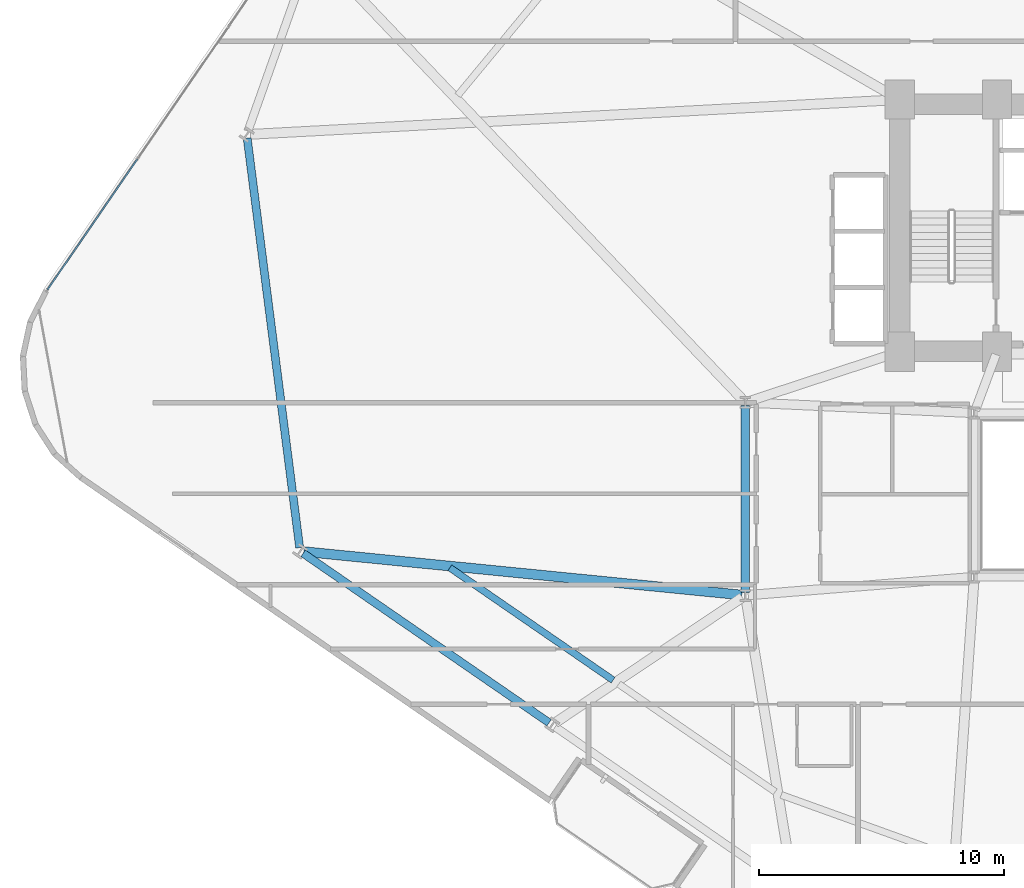
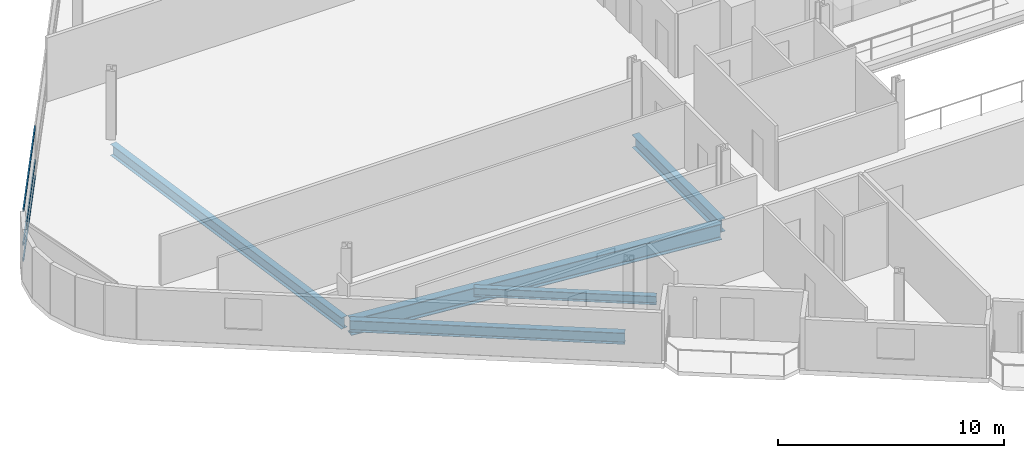
# One storey, part 5 of 26: 5 beams, 3 members, 1 element without a shape of its own.
"""IFC4 building model written with IfcOpenShell, lengths in metres."""

import ifcopenshell
import ifcopenshell.guid

model = None  # the IFC model being written
_history = None  # IfcOwnerHistory: only IFC2X3 demands one
_inside = {}  # id of a spatial element -> (the spatial element, [elements in it])
_under = {}  # id of a project, library or spatial element -> (it, [spatial elements below it])
_declared = {}  # id of a project -> (the project, [libraries it declares])
_typed = {}  # id of a type object -> (the type object, [elements of that type])
_made_of = {}  # id of a material, layer set ... -> (it, [elements and type objects made of it])


def new_model(schema):
    """Start an empty IFC model of exactly this schema.

    Asked for "IFC4X3", IfcOpenShell would pick the latest addendum, in which some entities
    have other attributes; the version numbers below select the first issue.
    IFC2X3 requires an IfcOwnerHistory on every rooted entity: one is made here for all.
    """
    global model, _history
    if schema == "IFC4X3":
        model = ifcopenshell.file(schema_version=(4, 3, 0, 0))
    else:
        model = ifcopenshell.file(schema=schema)
    _inside.clear()
    _under.clear()
    _declared.clear()
    _typed.clear()
    _made_of.clear()
    _history = None
    if model.schema == "IFC2X3":
        org = make("IfcOrganization", Name="unknown")
        user = make(
            "IfcPersonAndOrganization",
            ThePerson=make("IfcPerson", FamilyName="unknown"),
            TheOrganization=org,
        )
        app = make(
            "IfcApplication",
            ApplicationDeveloper=org,
            Version="unknown",
            ApplicationFullName="unknown",
            ApplicationIdentifier="unknown",
        )
        _history = make(
            "IfcOwnerHistory",
            OwningUser=user,
            OwningApplication=app,
            ChangeAction="ADDED",
            CreationDate=0,
        )
    return model


def make(cls, **values):
    """One entity of the class cls with the attributes given. An attribute that is None is left unset."""
    return model.create_entity(
        cls, **{name: value for name, value in values.items() if value is not None}
    )


def rooted(cls, **values):
    """An entity with a GlobalId (a new one), such as an element, a storey or a relation."""
    return make(cls, GlobalId=ifcopenshell.guid.new(), OwnerHistory=_history, **values)


def si_unit(unit_type, name, prefix=None):
    """IfcSIUnit, for example si_unit("LENGTHUNIT", "METRE", prefix="MILLI")."""
    return make("IfcSIUnit", UnitType=unit_type, Prefix=prefix, Name=name)


def assignment(units):
    """IfcUnitAssignment: the units of a project."""
    return None if units is None else make("IfcUnitAssignment", Units=units)


def point(xyz):
    """IfcCartesianPoint."""
    return None if xyz is None else make("IfcCartesianPoint", Coordinates=xyz)


def direction(xyz):
    """IfcDirection."""
    return None if xyz is None else make("IfcDirection", DirectionRatios=xyz)


def frame(location, z_axis=None, x_axis=None):
    """IfcAxis2Placement3D, a coordinate frame: its origin and axes. An axis left out is left unset."""
    return make(
        "IfcAxis2Placement3D",
        Location=point(location),
        Axis=direction(z_axis),
        RefDirection=direction(x_axis),
    )


def frame_2d(location, x_axis=None):
    """IfcAxis2Placement2D, a coordinate frame in the plane: its origin and x axis."""
    return make(
        "IfcAxis2Placement2D", Location=point(location), RefDirection=direction(x_axis)
    )


def origin():
    """The frame at (0, 0, 0) with its axes left unset."""
    return frame((0.0, 0.0, 0.0))


def origin_2d():
    """The frame at (0, 0) in the plane with its x axis left unset."""
    return frame_2d((0.0, 0.0))


def place(relative_to, where):
    """IfcLocalPlacement: puts the frame where relative to a parent placement (None: the world)."""
    return make(
        "IfcLocalPlacement", PlacementRelTo=relative_to, RelativePlacement=where
    )


def context(
    kind, dimensions, precision=None, world=None, true_north=None, identifier=None
):
    """IfcGeometricRepresentationContext, for example the 3D "Model" context."""
    return make(
        "IfcGeometricRepresentationContext",
        ContextIdentifier=identifier,
        ContextType=kind,
        CoordinateSpaceDimension=dimensions,
        Precision=precision,
        WorldCoordinateSystem=world,
        TrueNorth=true_north,
    )


def subcontext(parent, identifier, kind, view, scale=None):
    """IfcGeometricRepresentationSubContext, for example "Body" below "Model"."""
    return make(
        "IfcGeometricRepresentationSubContext",
        ContextIdentifier=identifier,
        ContextType=kind,
        ParentContext=parent,
        TargetScale=scale,
        TargetView=view,
    )


def project(units=None, contexts=None):
    """IfcProject with its units and contexts."""
    return rooted(
        "IfcProject",
        Name="project",
        RepresentationContexts=contexts,
        UnitsInContext=assignment(units),
    )


def spatial(cls, under=None, at=None, **own):
    """A site, building, storey or space (cls), placed at a placement, below another one or the project."""
    s = rooted(cls, ObjectPlacement=at, **own)
    if under is not None:
        _under.setdefault(under.id(), (under, []))[1].append(s)
    return s


def profile(cls, at=None, kind="AREA", **sizes):
    """A parametric profile (cls). Its sizes go by their IFC names, for example OverallWidth=200.0."""
    return make(cls, ProfileType=kind, Position=at, **sizes)


def hollow_rectangle(**sizes):
    """IfcRectangleHollowProfileDef."""
    return profile("IfcRectangleHollowProfileDef", **sizes)


def i_section(**sizes):
    """IfcIShapeProfileDef."""
    return profile("IfcIShapeProfileDef", **sizes)


def extrude(swept, where, along, depth):
    """IfcExtrudedAreaSolid: the profile swept, set in the frame where, extruded along a direction by depth."""
    return make(
        "IfcExtrudedAreaSolid",
        SweptArea=swept,
        Position=where,
        ExtrudedDirection=direction(along),
        Depth=depth,
    )


def shape(context_of_items, identifier, shape_type, items):
    """IfcShapeRepresentation: the items that make up one representation, for example the "Body"."""
    return make(
        "IfcShapeRepresentation",
        ContextOfItems=context_of_items,
        RepresentationIdentifier=identifier,
        RepresentationType=shape_type,
        Items=items,
    )


def material(Name=None, Category=None):
    """IfcMaterial."""
    return make("IfcMaterial", Name=Name, Category=Category)


def layer(
    of_material, thickness, ventilated=None, Name=None, Category=None, Priority=None
):
    """IfcMaterialLayer: one layer of a wall or slab, of a material (None: an air gap)."""
    return make(
        "IfcMaterialLayer",
        Material=of_material,
        LayerThickness=thickness,
        IsVentilated=ventilated,
        Name=Name,
        Category=Category,
        Priority=Priority,
    )


def layer_set(layers, Name=None):
    """IfcMaterialLayerSet."""
    return make("IfcMaterialLayerSet", MaterialLayers=layers, LayerSetName=Name)


def material_profile(
    of_material, cross_section, Name=None, Category=None, Priority=None
):
    """IfcMaterialProfile: a cross section and its material."""
    return make(
        "IfcMaterialProfile",
        Name=Name,
        Material=of_material,
        Profile=cross_section,
        Priority=Priority,
        Category=Category,
    )


def profile_set(profiles, Name=None, composite=None):
    """IfcMaterialProfileSet."""
    return make(
        "IfcMaterialProfileSet",
        Name=Name,
        MaterialProfiles=profiles,
        CompositeProfile=composite,
    )


def made_of(thing, what):
    """Note that an element or type object is made of a material, layer set ...; save() writes the relation."""
    if what is not None:
        _made_of.setdefault(what.id(), (what, []))[1].append(thing)
    return thing


def type_object(cls, material=None, **own):
    """A type object (cls), such as IfcWallType, which elements share."""
    return made_of(rooted(cls, **own), material)


def element(
    cls,
    number,
    at=None,
    inside=None,
    cuts=None,
    type_object=None,
    material=None,
    context=None,
    identifier="Body",
    shape_type=None,
    held_by="IfcProductDefinitionShape",
    body=None,
    shapes=None,
    **own,
):
    """One element of the class cls, such as IfcWall. Its Tag is "e" and its number.

    at: its placement. inside: the storey or other place that contains it. cuts: it is an
    opening in that element (IfcRelVoidsElement). A single representation is given by context,
    identifier, shape_type and body (its items); several are given by shapes. held_by: the class
    of the entity that holds the representations. save() writes the other relations.
    """
    e = rooted(cls, Tag="e%d" % number, ObjectPlacement=at, **own)
    if body is not None:
        shapes = [shape(context, identifier, shape_type, body)]
    if shapes is not None:
        e.Representation = make(held_by, Representations=shapes)
    if inside is not None:
        _inside.setdefault(inside.id(), (inside, []))[1].append(e)
    if cuts is not None:
        rooted(
            "IfcRelVoidsElement", RelatingBuildingElement=cuts, RelatedOpeningElement=e
        )
    if type_object is not None:
        _typed.setdefault(type_object.id(), (type_object, []))[1].append(e)
    return made_of(e, material)


def aggregate(whole, parts):
    """IfcRelAggregates: a whole, such as a stair, and the parts it consists of."""
    return rooted("IfcRelAggregates", RelatingObject=whole, RelatedObjects=parts)


def save(model, path):
    """Write the relations noted so far, then the file.

    IfcRelAggregates (storeys below a building ...), IfcRelContainedInSpatialStructure (elements
    in a storey), IfcRelDefinesByType, IfcRelAssociatesMaterial and IfcRelDeclares: one each for
    every whole, place, type object, material and project.
    """
    for whole, parts in _under.values():
        aggregate(whole, parts)
    for where, things in _inside.values():
        rooted(
            "IfcRelContainedInSpatialStructure",
            RelatedElements=things,
            RelatingStructure=where,
        )
    for kind, things in _typed.values():
        rooted("IfcRelDefinesByType", RelatedObjects=things, RelatingType=kind)
    for what, things in _made_of.values():
        rooted("IfcRelAssociatesMaterial", RelatedObjects=things, RelatingMaterial=what)
    for by, libraries in _declared.values():
        rooted("IfcRelDeclares", RelatingContext=by, RelatedDefinitions=libraries)
    model.write(path)


model = new_model("IFC4")

# Units and contexts
model_context = context("Model", 3, precision=1e-05, world=origin(), true_north=direction((0.0, 1.0)))
body_context = subcontext(model_context, "Body", "Model", "MODEL_VIEW")
ifc_project = project(units=[si_unit("LENGTHUNIT", "METRE"), si_unit("AREAUNIT", "SQUARE_METRE"), si_unit("VOLUMEUNIT", "CUBIC_METRE"), si_unit("PLANEANGLEUNIT", "RADIAN"), si_unit("MASSUNIT", "GRAM", prefix="KILO")], contexts=[model_context])

# Site, building, storey
site_placement = place(None, origin())
site = spatial("IfcSite", under=ifc_project, at=site_placement, CompositionType="ELEMENT")
building_placement = place(site_placement, origin())
building = spatial("IfcBuilding", under=site, at=building_placement, Name="Varnelok Gate Tower", CompositionType="ELEMENT")
storey_placement = place(building_placement, frame((0.0, 0.0, 45.5)))
storey = spatial("IfcBuildingStorey", under=building, at=storey_placement, Name="L10", CompositionType="ELEMENT", Elevation=45.5)

# Beams
ifc_material_1 = material(Name="Structural Steel ASTM A992 Grade 50", Category="steel")
ifc_material_profile_1 = material_profile(ifc_material_1, i_section(OverallWidth=0.280029296875, OverallDepth=0.462890625, WebThickness=0.0107421875, FlangeThickness=0.017333984375, FilletRadius=0.014892578125, at=origin_2d()), Name="W18X76")
ifc_profile_set_1 = profile_set([ifc_material_profile_1], Name="Structural Steel ASTM A992 Grade 50")
beam_type_1 = type_object("IfcBeamType", Name="BM-JST-W18X76", PredefinedType="JOIST", material=ifc_profile_set_1)
beam_1_placement = place(storey_placement, frame((12.3310546875, 19.928466796875, -0.4814453125), z_axis=(0.823532961972, -0.567268420191, 0.0), x_axis=(0.567268420191, 0.823532961972, 0.0)))
element("IfcBeam", 1, at=beam_1_placement, inside=storey, type_object=beam_type_1, Name="L10 Sector Floor Joist 1", PredefinedType="JOIST", context=body_context, shape_type="SweptSolid", body=[
    extrude(i_section(OverallWidth=0.280029296875, OverallDepth=0.462890625, WebThickness=0.0107421875, FlangeThickness=0.017333984375, FilletRadius=0.014892578125, at=origin_2d()), origin(), (0.0, 0.0, 1.0), 8.094970703125),
])
ifc_material_profile_2 = material_profile(ifc_material_1, i_section(OverallWidth=0.35498046875, OverallDepth=0.696044921875, WebThickness=0.015380859375, FlangeThickness=0.02490234375, FilletRadius=0.02001953125, at=origin_2d()), Name="W27X146")
ifc_profile_set_2 = profile_set([ifc_material_profile_2], Name="Structural Steel ASTM A992 Grade 50")
beam_type_2 = type_object("IfcBeamType", Name="BM-PRI-W27X146", PredefinedType="BEAM", material=ifc_profile_set_2)
beam_2_placement = place(storey_placement, frame((24.39990234375, 18.919921875, -0.597900390625), z_axis=(0.0, 1.0, 0.0), x_axis=(-1.0, 0.0, 0.0)))
element("IfcBeam", 2, at=beam_2_placement, inside=storey, type_object=beam_type_2, Name="L10 Core-Atrium Spine Beam 16", PredefinedType="BEAM", context=body_context, shape_type="SweptSolid", body=[
    extrude(i_section(OverallWidth=0.35498046875, OverallDepth=0.696044921875, WebThickness=0.015380859375, FlangeThickness=0.02490234375, FilletRadius=0.02001953125, at=origin_2d()), origin(), (0.0, 0.0, 1.0), 7.64013671875),
])
ifc_material_profile_3 = material_profile(ifc_material_1, i_section(OverallWidth=0.39892578125, OverallDepth=0.85498046875, WebThickness=0.018310546875, FlangeThickness=0.029296875, FilletRadius=0.02392578125, at=origin_2d()), Name="W33X201")
ifc_profile_set_3 = profile_set([ifc_material_profile_3], Name="Structural Steel ASTM A992 Grade 50")
beam_type_3 = type_object("IfcBeamType", Name="BM-PRI-W33X201", PredefinedType="BEAM", material=ifc_profile_set_3)
beam_3_placement = place(storey_placement, frame((24.250732421875, 18.814697265625, -0.677490234375), z_axis=(-0.995122218733, 0.098649732815, 0.0), x_axis=(-0.098649732815, -0.995122218733, 0.0)))
element("IfcBeam", 3, at=beam_3_placement, inside=storey, type_object=beam_type_3, Name="L10 Radial Floor Girder 1", PredefinedType="BEAM", context=body_context, shape_type="SweptSolid", body=[
    extrude(i_section(OverallWidth=0.39892578125, OverallDepth=0.85498046875, WebThickness=0.018310546875, FlangeThickness=0.029296875, FilletRadius=0.02392578125, at=origin_2d()), origin(), (0.0, 0.0, 1.0), 17.974609375),
])
ifc_material_profile_4 = material_profile(ifc_material_1, i_section(OverallWidth=0.323974609375, OverallDepth=0.611083984375, WebThickness=0.0126953125, FlangeThickness=0.01904296875, FilletRadius=0.01806640625, at=origin_2d()), Name="W24X104")
ifc_profile_set_4 = profile_set([ifc_material_profile_4], Name="Structural Steel ASTM A992 Grade 50")
beam_type_4 = type_object("IfcBeamType", Name="BM-SPN-W24X104", PredefinedType="SPANDREL", material=ifc_profile_set_4)
beam_4_placement = place(storey_placement, frame((6.337890625, 20.517578125, -0.555419921875), z_axis=(0.823540632156, -0.567257284826, 0.0), x_axis=(0.567257284826, 0.823540632156, 0.0)))
element("IfcBeam", 4, at=beam_4_placement, inside=storey, type_object=beam_type_4, Name="L10 Perimeter Spandrel Beam 1", PredefinedType="SPANDREL", context=body_context, shape_type="SweptSolid", body=[
    extrude(i_section(OverallWidth=0.323974609375, OverallDepth=0.611083984375, WebThickness=0.0126953125, FlangeThickness=0.01904296875, FilletRadius=0.01806640625, at=origin_2d()), origin(), (0.0, 0.0, 1.0), 12.2001953125),
])
beam_5_placement = place(storey_placement, frame((4.05224609375, 37.47509765625, -0.555419921875), z_axis=(0.127106601297, -0.991889062298, 0.0), x_axis=(0.991889062298, 0.127106601297, 0.0)))
element("IfcBeam", 5, at=beam_5_placement, inside=storey, type_object=beam_type_4, Name="L10 Perimeter Spandrel Beam 16", PredefinedType="SPANDREL", context=body_context, shape_type="SweptSolid", body=[
    extrude(i_section(OverallWidth=0.323974609375, OverallDepth=0.611083984375, WebThickness=0.0126953125, FlangeThickness=0.01904296875, FilletRadius=0.01806640625, at=origin_2d()), origin(), (0.0, 0.0, 1.0), 16.8603515625),
])

# Curtain wall, members
ifc_material_2 = material(Name="Anodized Aluminum Alloy 6063-T6", Category="aluminium")
ifc_layer = layer(ifc_material_2, 0.179931640625)
ifc_layer_set = layer_set([ifc_layer], Name="Anodized Aluminum Alloy 6063-T6")
curtain_wall_type = type_object("IfcCurtainWallType", Name="CW3-HOTEL-VISION", PredefinedType="USERDEFINED", material=ifc_layer_set)
curtain_wall_placement = place(storey_placement, origin())
curtain_wall = element("IfcCurtainWall", 6, at=curtain_wall_placement, inside=storey, type_object=curtain_wall_type, Name="L10 West End Vision Curtain Wall", ObjectType="UNITISED CURTAIN WALL", PredefinedType="USERDEFINED")
ifc_material_profile_5 = material_profile(ifc_material_2, hollow_rectangle(XDim=0.06494140625, YDim=0.159912109375, WallThickness=0.00390625, at=origin_2d()), Name="ALU160X65X4")
ifc_profile_set_5 = profile_set([ifc_material_profile_5], Name="Anodized Aluminum Alloy 6063-T6")
member_type = type_object("IfcMemberType", Name="CW-TRAN-160", PredefinedType="USERDEFINED", material=ifc_profile_set_5)
member_1_placement = place(storey_placement, frame((-4.10546875, 31.287353515625, 0.032470703125), z_axis=(0.567255754851, 0.823541686006, 0.0), x_axis=(-0.823541686006, 0.567255754851, 0.0)))
member_1 = element("IfcMember", 7, at=member_1_placement, type_object=member_type, Name="CW3 transom 1.1", ObjectType="TRANSOM", PredefinedType="USERDEFINED", context=body_context, shape_type="SweptSolid", body=[
    extrude(hollow_rectangle(XDim=0.06494140625, YDim=0.159912109375, WallThickness=0.00390625, at=origin_2d()), origin(), (0.0, 0.0, 1.0), 6.46923828125),
])
member_2_placement = place(storey_placement, frame((-4.10546875, 31.287353515625, 0.89990234375), z_axis=(0.567255754851, 0.823541686006, 0.0), x_axis=(-0.823541686006, 0.567255754851, 0.0)))
member_2 = element("IfcMember", 8, at=member_2_placement, type_object=member_type, Name="CW3 transom 1.2", ObjectType="TRANSOM", PredefinedType="USERDEFINED", context=body_context, shape_type="SweptSolid", body=[
    extrude(hollow_rectangle(XDim=0.06494140625, YDim=0.159912109375, WallThickness=0.00390625, at=origin_2d()), origin(), (0.0, 0.0, 1.0), 6.46923828125),
])
member_3_placement = place(storey_placement, frame((-4.10546875, 31.287353515625, 2.697509765625), z_axis=(0.567255754851, 0.823541686006, 0.0), x_axis=(-0.823541686006, 0.567255754851, 0.0)))
member_3 = element("IfcMember", 9, at=member_3_placement, type_object=member_type, Name="CW3 transom 1.3", ObjectType="TRANSOM", PredefinedType="USERDEFINED", context=body_context, shape_type="SweptSolid", body=[
    extrude(hollow_rectangle(XDim=0.06494140625, YDim=0.159912109375, WallThickness=0.00390625, at=origin_2d()), origin(), (0.0, 0.0, 1.0), 6.46923828125),
])
aggregate(curtain_wall, [member_1, member_2, member_3])

save(model, "model.ifc")
